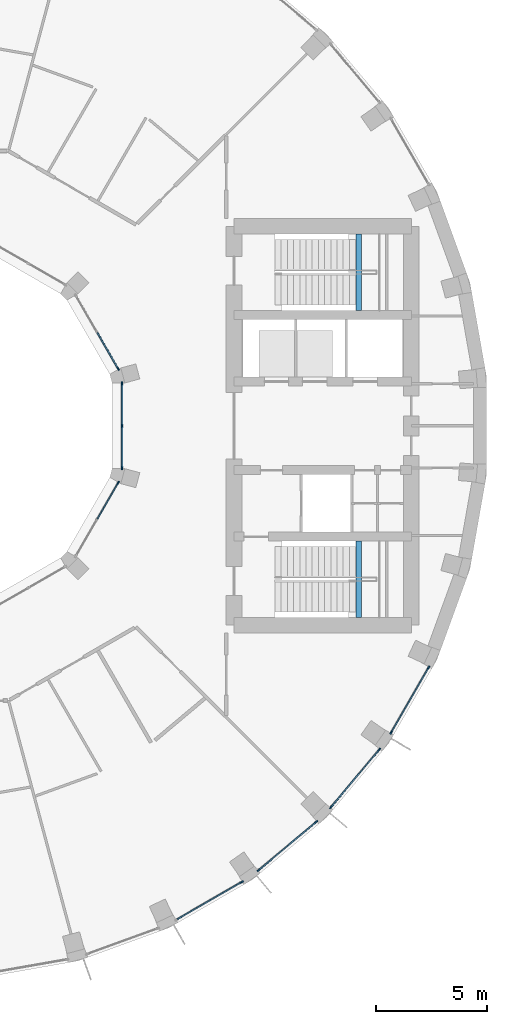
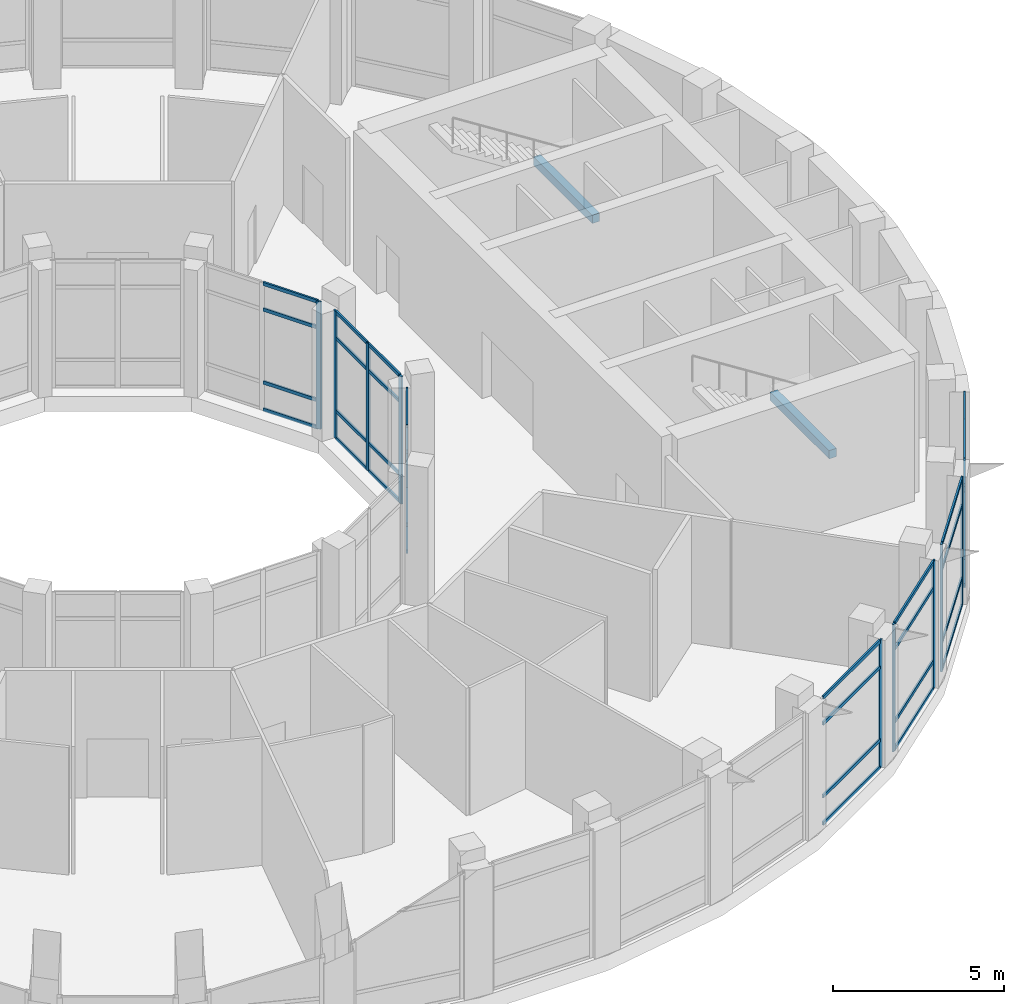
# One storey, part 5 of 18: 44 members, 2 beams, 7 elements without a shape of their own.
"""IFC4 building model written with IfcOpenShell, lengths in metres."""

from ifc_helpers import new_model, si_unit, direction, frame, origin, origin_2d, place, context, subcontext, project, spatial, rectangle, extrude, material, layer, layer_set, material_profile, profile_set, type_object, element, aggregate, save


model = new_model("IFC4")

# Units and contexts
model_context = context("Model", 3, precision=1e-05, world=origin(), true_north=direction((0.0, 1.0)))
body_context = subcontext(model_context, "Body", "Model", "MODEL_VIEW")
ifc_project = project(units=[si_unit("LENGTHUNIT", "METRE"), si_unit("AREAUNIT", "SQUARE_METRE"), si_unit("VOLUMEUNIT", "CUBIC_METRE"), si_unit("PLANEANGLEUNIT", "RADIAN"), si_unit("MASSUNIT", "GRAM", prefix="KILO")], contexts=[model_context])

# Site, building, storey
site_placement = place(None, origin())
site = spatial("IfcSite", under=ifc_project, at=site_placement, CompositionType="ELEMENT")
building_placement = place(site_placement, origin())
building = spatial("IfcBuilding", under=site, at=building_placement, Name="Saqina Gate Tower", CompositionType="ELEMENT")
storey_placement = place(building_placement, frame((0.0, 0.0, 155.800048828125)))
storey = spatial("IfcBuildingStorey", under=building, at=storey_placement, Name="L44", CompositionType="ELEMENT", Elevation=155.800048828125)

# Curtain wall, member
ifc_material_1 = material(Name="Aluminium glazing", Category="aluminium")
ifc_layer_1 = layer(ifc_material_1, 0.159912109375)
ifc_layer_set_1 = layer_set([ifc_layer_1], Name="CWT-2")
curtain_wall_type_1 = type_object("IfcCurtainWallType", Name="CWT-2", PredefinedType="NOTDEFINED", material=ifc_layer_set_1)
curtain_wall_1_placement = place(storey_placement, origin())
curtain_wall_1 = element("IfcCurtainWall", 1, at=curtain_wall_1_placement, inside=storey, type_object=curtain_wall_type_1, Name="Sky lounge glazing facet 30", PredefinedType="NOTDEFINED")
ifc_material_2 = material(Name="Aluminium", Category="aluminium")
ifc_material_profile_1 = material_profile(ifc_material_2, rectangle(XDim=0.06005859375, YDim=0.159912109375, at=origin_2d()), Name="Aluminium 60x160")
ifc_profile_set_1 = profile_set([ifc_material_profile_1], Name="Aluminium")
member_type_1 = type_object("IfcMemberType", Name="CWT-2M", PredefinedType="MULLION", material=ifc_profile_set_1)
member_1_placement = place(storey_placement, frame((13.84521484375, -20.5908203125, 0.0), z_axis=(0.0, 0.0, 1.0), x_axis=(-0.500014364391, 0.866017110341, 0.0)))
member_1 = element("IfcMember", 2, at=member_1_placement, type_object=member_type_1, Name="CW2-30 mullion 2", PredefinedType="MULLION", context=body_context, shape_type="SweptSolid", body=[
    extrude(rectangle(XDim=0.06005859375, YDim=0.159912109375, at=origin_2d()), origin(), (0.0, 0.0, 1.0), 4.550048828125),
])

# Curtain wall, members
curtain_wall_2_placement = place(storey_placement, origin())
curtain_wall_2 = element("IfcCurtainWall", 3, at=curtain_wall_2_placement, inside=storey, type_object=curtain_wall_type_1, Name="Sky lounge glazing facet 31", PredefinedType="NOTDEFINED")
member_2_placement = place(storey_placement, frame((14.61376953125, -20.052734375, 0.0), z_axis=(0.0, 0.0, 1.0), x_axis=(-0.642789549658, 0.766042815286, 0.0)))
member_2 = element("IfcMember", 4, at=member_2_placement, type_object=member_type_1, Name="CW2-31 mullion 1", PredefinedType="MULLION", context=body_context, shape_type="SweptSolid", body=[
    extrude(rectangle(XDim=0.06005859375, YDim=0.159912109375, at=origin_2d()), origin(), (0.0, 0.0, 1.0), 4.550048828125),
])
member_3_placement = place(storey_placement, frame((17.21044921875, -17.873779296875, 0.0), z_axis=(0.0, 0.0, 1.0), x_axis=(-0.642789549658, 0.766042815286, 0.0)))
member_3 = element("IfcMember", 5, at=member_3_placement, type_object=member_type_1, Name="CW2-31 mullion 2", PredefinedType="MULLION", context=body_context, shape_type="SweptSolid", body=[
    extrude(rectangle(XDim=0.06005859375, YDim=0.159912109375, at=origin_2d()), origin(), (0.0, 0.0, 1.0), 4.550048828125),
])

curtain_wall_3_placement = place(storey_placement, origin())
curtain_wall_3 = element("IfcCurtainWall", 6, at=curtain_wall_3_placement, inside=storey, type_object=curtain_wall_type_1, Name="Sky lounge glazing facet 32", PredefinedType="NOTDEFINED")
member_4_placement = place(storey_placement, frame((17.873779296875, -17.21044921875, 0.0), z_axis=(0.0, 0.0, 1.0), x_axis=(-0.766042815286, 0.642789549658, 0.0)))
member_4 = element("IfcMember", 7, at=member_4_placement, type_object=member_type_1, Name="CW2-32 mullion 1", PredefinedType="MULLION", context=body_context, shape_type="SweptSolid", body=[
    extrude(rectangle(XDim=0.06005859375, YDim=0.159912109375, at=origin_2d()), origin(), (0.0, 0.0, 1.0), 4.550048828125),
])
member_5_placement = place(storey_placement, frame((20.052734375, -14.61376953125, 0.0), z_axis=(0.0, 0.0, 1.0), x_axis=(-0.766042815286, 0.642789549658, 0.0)))
member_5 = element("IfcMember", 8, at=member_5_placement, type_object=member_type_1, Name="CW2-32 mullion 2", PredefinedType="MULLION", context=body_context, shape_type="SweptSolid", body=[
    extrude(rectangle(XDim=0.06005859375, YDim=0.159912109375, at=origin_2d()), origin(), (0.0, 0.0, 1.0), 4.550048828125),
])

curtain_wall_4_placement = place(storey_placement, origin())
curtain_wall_4 = element("IfcCurtainWall", 9, at=curtain_wall_4_placement, inside=storey, type_object=curtain_wall_type_1, Name="Sky lounge glazing facet 33", PredefinedType="NOTDEFINED")
member_6_placement = place(storey_placement, frame((20.5908203125, -13.84521484375, 0.0), z_axis=(0.0, 0.0, 1.0), x_axis=(-0.866017110341, 0.500014364391, 0.0)))
member_6 = element("IfcMember", 10, at=member_6_placement, type_object=member_type_1, Name="CW2-33 mullion 1", PredefinedType="MULLION", context=body_context, shape_type="SweptSolid", body=[
    extrude(rectangle(XDim=0.06005859375, YDim=0.159912109375, at=origin_2d()), origin(), (0.0, 0.0, 1.0), 4.550048828125),
])
member_7_placement = place(storey_placement, frame((22.285888671875, -10.90966796875, 0.0), z_axis=(0.0, 0.0, 1.0), x_axis=(-0.866017110341, 0.500014364391, 0.0)))
member_7 = element("IfcMember", 11, at=member_7_placement, type_object=member_type_1, Name="CW2-33 mullion 2", PredefinedType="MULLION", context=body_context, shape_type="SweptSolid", body=[
    extrude(rectangle(XDim=0.06005859375, YDim=0.159912109375, at=origin_2d()), origin(), (0.0, 0.0, 1.0), 4.550048828125),
])

# Member
ifc_material_3 = material(Name="Aluminium", Category="aluminium")
ifc_material_profile_2 = material_profile(ifc_material_3, rectangle(XDim=0.06005859375, YDim=0.1201171875, at=origin_2d()), Name="Aluminium 60x120")
ifc_profile_set_2 = profile_set([ifc_material_profile_2], Name="Aluminium")
member_type_2 = type_object("IfcMemberType", Name="CWT-2T", PredefinedType="USERDEFINED", material=ifc_profile_set_2)
member_8_placement = place(storey_placement, frame((10.935546875, -22.270751953125, 0.030029296875), z_axis=(0.866046400599, 0.499963630688, 0.0), x_axis=(-0.499963630688, 0.866046400599, 0.0)))
member_8 = element("IfcMember", 12, at=member_8_placement, type_object=member_type_2, Name="CW2-30 transom 1.1", ObjectType="TRANSOM", PredefinedType="USERDEFINED", context=body_context, shape_type="SweptSolid", body=[
    extrude(rectangle(XDim=0.06005859375, YDim=0.1201171875, at=origin_2d()), origin(), (0.0, 0.0, 1.0), 3.329833984375),
])

member_9_placement = place(storey_placement, frame((10.935546875, -22.270751953125, 1.0), z_axis=(0.866046400599, 0.499963630688, 0.0), x_axis=(-0.499963630688, 0.866046400599, 0.0)))
member_9 = element("IfcMember", 13, at=member_9_placement, type_object=member_type_2, Name="CW2-30 transom 1.2", ObjectType="TRANSOM", PredefinedType="USERDEFINED", context=body_context, shape_type="SweptSolid", body=[
    extrude(rectangle(XDim=0.06005859375, YDim=0.1201171875, at=origin_2d()), origin(), (0.0, 0.0, 1.0), 3.329833984375),
])

member_10_placement = place(storey_placement, frame((10.935546875, -22.270751953125, 3.599853515625), z_axis=(0.866046400599, 0.499963630688, 0.0), x_axis=(-0.499963630688, 0.866046400599, 0.0)))
member_10 = element("IfcMember", 14, at=member_10_placement, type_object=member_type_2, Name="CW2-30 transom 1.3", ObjectType="TRANSOM", PredefinedType="USERDEFINED", context=body_context, shape_type="SweptSolid", body=[
    extrude(rectangle(XDim=0.06005859375, YDim=0.1201171875, at=origin_2d()), origin(), (0.0, 0.0, 1.0), 3.329833984375),
])

member_11_placement = place(storey_placement, frame((10.935546875, -22.270751953125, 4.52001953125), z_axis=(0.866046400599, 0.499963630688, 0.0), x_axis=(-0.499963630688, 0.866046400599, 0.0)))
member_11 = element("IfcMember", 15, at=member_11_placement, type_object=member_type_2, Name="CW2-30 transom 1.4", ObjectType="TRANSOM", PredefinedType="USERDEFINED", context=body_context, shape_type="SweptSolid", body=[
    extrude(rectangle(XDim=0.06005859375, YDim=0.1201171875, at=origin_2d()), origin(), (0.0, 0.0, 1.0), 3.329833984375),
])

aggregate(curtain_wall_1, [member_1, member_8, member_9, member_10, member_11])

member_12_placement = place(storey_placement, frame((14.63671875, -20.033447265625, 0.030029296875), z_axis=(0.766041300239, 0.642791355206, 0.0), x_axis=(-0.642791355206, 0.766041300239, 0.0)))
member_12 = element("IfcMember", 16, at=member_12_placement, type_object=member_type_2, Name="CW2-31 transom 1.1", ObjectType="TRANSOM", PredefinedType="USERDEFINED", context=body_context, shape_type="SweptSolid", body=[
    extrude(rectangle(XDim=0.06005859375, YDim=0.1201171875, at=origin_2d()), origin(), (0.0, 0.0, 1.0), 3.329833984375),
])

member_13_placement = place(storey_placement, frame((14.63671875, -20.033447265625, 1.0), z_axis=(0.766041300239, 0.642791355206, 0.0), x_axis=(-0.642791355206, 0.766041300239, 0.0)))
member_13 = element("IfcMember", 17, at=member_13_placement, type_object=member_type_2, Name="CW2-31 transom 1.2", ObjectType="TRANSOM", PredefinedType="USERDEFINED", context=body_context, shape_type="SweptSolid", body=[
    extrude(rectangle(XDim=0.06005859375, YDim=0.1201171875, at=origin_2d()), origin(), (0.0, 0.0, 1.0), 3.329833984375),
])

member_14_placement = place(storey_placement, frame((14.63671875, -20.033447265625, 3.599853515625), z_axis=(0.766041300239, 0.642791355206, 0.0), x_axis=(-0.642791355206, 0.766041300239, 0.0)))
member_14 = element("IfcMember", 18, at=member_14_placement, type_object=member_type_2, Name="CW2-31 transom 1.3", ObjectType="TRANSOM", PredefinedType="USERDEFINED", context=body_context, shape_type="SweptSolid", body=[
    extrude(rectangle(XDim=0.06005859375, YDim=0.1201171875, at=origin_2d()), origin(), (0.0, 0.0, 1.0), 3.329833984375),
])

member_15_placement = place(storey_placement, frame((14.63671875, -20.033447265625, 4.52001953125), z_axis=(0.766041300239, 0.642791355206, 0.0), x_axis=(-0.642791355206, 0.766041300239, 0.0)))
member_15 = element("IfcMember", 19, at=member_15_placement, type_object=member_type_2, Name="CW2-31 transom 1.4", ObjectType="TRANSOM", PredefinedType="USERDEFINED", context=body_context, shape_type="SweptSolid", body=[
    extrude(rectangle(XDim=0.06005859375, YDim=0.1201171875, at=origin_2d()), origin(), (0.0, 0.0, 1.0), 3.329833984375),
])

aggregate(curtain_wall_2, [member_2, member_3, member_12, member_13, member_14, member_15])

member_16_placement = place(storey_placement, frame((17.89306640625, -17.1875, 0.030029296875), z_axis=(0.642791355206, 0.766041300239, 0.0), x_axis=(-0.766041300239, 0.642791355206, 0.0)))
member_16 = element("IfcMember", 20, at=member_16_placement, type_object=member_type_2, Name="CW2-32 transom 1.1", ObjectType="TRANSOM", PredefinedType="USERDEFINED", context=body_context, shape_type="SweptSolid", body=[
    extrude(rectangle(XDim=0.06005859375, YDim=0.1201171875, at=origin_2d()), origin(), (0.0, 0.0, 1.0), 3.329833984375),
])

member_17_placement = place(storey_placement, frame((17.89306640625, -17.1875, 1.0), z_axis=(0.642791355206, 0.766041300239, 0.0), x_axis=(-0.766041300239, 0.642791355206, 0.0)))
member_17 = element("IfcMember", 21, at=member_17_placement, type_object=member_type_2, Name="CW2-32 transom 1.2", ObjectType="TRANSOM", PredefinedType="USERDEFINED", context=body_context, shape_type="SweptSolid", body=[
    extrude(rectangle(XDim=0.06005859375, YDim=0.1201171875, at=origin_2d()), origin(), (0.0, 0.0, 1.0), 3.329833984375),
])

member_18_placement = place(storey_placement, frame((17.89306640625, -17.1875, 3.599853515625), z_axis=(0.642791355206, 0.766041300239, 0.0), x_axis=(-0.766041300239, 0.642791355206, 0.0)))
member_18 = element("IfcMember", 22, at=member_18_placement, type_object=member_type_2, Name="CW2-32 transom 1.3", ObjectType="TRANSOM", PredefinedType="USERDEFINED", context=body_context, shape_type="SweptSolid", body=[
    extrude(rectangle(XDim=0.06005859375, YDim=0.1201171875, at=origin_2d()), origin(), (0.0, 0.0, 1.0), 3.329833984375),
])

member_19_placement = place(storey_placement, frame((17.89306640625, -17.1875, 4.52001953125), z_axis=(0.642791355206, 0.766041300239, 0.0), x_axis=(-0.766041300239, 0.642791355206, 0.0)))
member_19 = element("IfcMember", 23, at=member_19_placement, type_object=member_type_2, Name="CW2-32 transom 1.4", ObjectType="TRANSOM", PredefinedType="USERDEFINED", context=body_context, shape_type="SweptSolid", body=[
    extrude(rectangle(XDim=0.06005859375, YDim=0.1201171875, at=origin_2d()), origin(), (0.0, 0.0, 1.0), 3.329833984375),
])

aggregate(curtain_wall_3, [member_4, member_5, member_16, member_17, member_18, member_19])

member_20_placement = place(storey_placement, frame((20.60595703125, -13.8193359375, 0.030029296875), z_axis=(0.499963630688, 0.866046400599, 0.0), x_axis=(-0.866046400599, 0.499963630688, 0.0)))
member_20 = element("IfcMember", 24, at=member_20_placement, type_object=member_type_2, Name="CW2-33 transom 1.1", ObjectType="TRANSOM", PredefinedType="USERDEFINED", context=body_context, shape_type="SweptSolid", body=[
    extrude(rectangle(XDim=0.06005859375, YDim=0.1201171875, at=origin_2d()), origin(), (0.0, 0.0, 1.0), 3.329833984375),
])

member_21_placement = place(storey_placement, frame((20.60595703125, -13.8193359375, 1.0), z_axis=(0.499963630688, 0.866046400599, 0.0), x_axis=(-0.866046400599, 0.499963630688, 0.0)))
member_21 = element("IfcMember", 25, at=member_21_placement, type_object=member_type_2, Name="CW2-33 transom 1.2", ObjectType="TRANSOM", PredefinedType="USERDEFINED", context=body_context, shape_type="SweptSolid", body=[
    extrude(rectangle(XDim=0.06005859375, YDim=0.1201171875, at=origin_2d()), origin(), (0.0, 0.0, 1.0), 3.329833984375),
])

member_22_placement = place(storey_placement, frame((20.60595703125, -13.8193359375, 3.599853515625), z_axis=(0.499963630688, 0.866046400599, 0.0), x_axis=(-0.866046400599, 0.499963630688, 0.0)))
member_22 = element("IfcMember", 26, at=member_22_placement, type_object=member_type_2, Name="CW2-33 transom 1.3", ObjectType="TRANSOM", PredefinedType="USERDEFINED", context=body_context, shape_type="SweptSolid", body=[
    extrude(rectangle(XDim=0.06005859375, YDim=0.1201171875, at=origin_2d()), origin(), (0.0, 0.0, 1.0), 3.329833984375),
])

member_23_placement = place(storey_placement, frame((20.60595703125, -13.8193359375, 4.52001953125), z_axis=(0.499963630688, 0.866046400599, 0.0), x_axis=(-0.866046400599, 0.499963630688, 0.0)))
member_23 = element("IfcMember", 27, at=member_23_placement, type_object=member_type_2, Name="CW2-33 transom 1.4", ObjectType="TRANSOM", PredefinedType="USERDEFINED", context=body_context, shape_type="SweptSolid", body=[
    extrude(rectangle(XDim=0.06005859375, YDim=0.1201171875, at=origin_2d()), origin(), (0.0, 0.0, 1.0), 3.329833984375),
])

aggregate(curtain_wall_4, [member_6, member_7, member_20, member_21, member_22, member_23])

# Curtain wall, member
ifc_material_4 = material(Name="Aluminium glazing", Category="aluminium")
ifc_layer_2 = layer(ifc_material_4, 0.159912109375)
ifc_layer_set_2 = layer_set([ifc_layer_2], Name="CWT-3")
curtain_wall_type_2 = type_object("IfcCurtainWallType", Name="CWT-3", PredefinedType="NOTDEFINED", material=ifc_layer_set_2)
curtain_wall_5_placement = place(storey_placement, origin())
curtain_wall_5 = element("IfcCurtainWall", 28, at=curtain_wall_5_placement, inside=storey, type_object=curtain_wall_type_2, Name="Sky lounge well glazing L44 facet 1", PredefinedType="NOTDEFINED")
ifc_material_5 = material(Name="Aluminium", Category="aluminium")
ifc_material_profile_3 = material_profile(ifc_material_5, rectangle(XDim=0.06005859375, YDim=0.159912109375, at=origin_2d()), Name="Aluminium 60x160")
ifc_profile_set_3 = profile_set([ifc_material_profile_3], Name="Aluminium")
member_type_3 = type_object("IfcMemberType", Name="CWT-3M", PredefinedType="MULLION", material=ifc_profile_set_3)
member_24_placement = place(storey_placement, frame((8.2705078125, 2.5751953125, 0.0), z_axis=(0.0, 0.0, 1.0), x_axis=(-0.866017760546, -0.500013238243, 0.0)))
member_24 = element("IfcMember", 29, at=member_24_placement, type_object=member_type_3, Name="CW3-01 mullion 1", PredefinedType="MULLION", context=body_context, shape_type="SweptSolid", body=[
    extrude(rectangle(XDim=0.06005859375, YDim=0.159912109375, at=origin_2d()), origin(), (0.0, 0.0, 1.0), 4.550048828125),
])

curtain_wall_6_placement = place(storey_placement, origin())
curtain_wall_6 = element("IfcCurtainWall", 30, at=curtain_wall_6_placement, inside=storey, type_object=curtain_wall_type_2, Name="Sky lounge well glazing L44 facet 11", PredefinedType="NOTDEFINED")
member_25_placement = place(storey_placement, frame((8.2705078125, -2.5751953125, 0.0), z_axis=(0.0, 0.0, 1.0), x_axis=(-0.866017760546, 0.500013238243, 0.0)))
member_25 = element("IfcMember", 31, at=member_25_placement, type_object=member_type_3, Name="CW3-11 mullion 3", PredefinedType="MULLION", context=body_context, shape_type="SweptSolid", body=[
    extrude(rectangle(XDim=0.06005859375, YDim=0.159912109375, at=origin_2d()), origin(), (0.0, 0.0, 1.0), 4.550048828125),
])

# Curtain wall, members
curtain_wall_7_placement = place(storey_placement, origin())
curtain_wall_7 = element("IfcCurtainWall", 32, at=curtain_wall_7_placement, inside=storey, type_object=curtain_wall_type_2, Name="Sky lounge well glazing L44 facet 12", PredefinedType="NOTDEFINED")
member_26_placement = place(storey_placement, frame((8.449951171875, -1.90478515625, 0.0), z_axis=(0.0, 0.0, 1.0), x_axis=(-1.0, 0.0, 0.0)))
member_26 = element("IfcMember", 33, at=member_26_placement, type_object=member_type_3, Name="CW3-12 mullion 1", PredefinedType="MULLION", context=body_context, shape_type="SweptSolid", body=[
    extrude(rectangle(XDim=0.06005859375, YDim=0.159912109375, at=origin_2d()), origin(), (0.0, 0.0, 1.0), 4.550048828125),
])
member_27_placement = place(storey_placement, frame((8.449951171875, 0.0, 0.0), z_axis=(0.0, 0.0, 1.0), x_axis=(-1.0, 0.0, 0.0)))
member_27 = element("IfcMember", 34, at=member_27_placement, type_object=member_type_3, Name="CW3-12 mullion 2", PredefinedType="MULLION", context=body_context, shape_type="SweptSolid", body=[
    extrude(rectangle(XDim=0.06005859375, YDim=0.159912109375, at=origin_2d()), origin(), (0.0, 0.0, 1.0), 4.550048828125),
])
member_28_placement = place(storey_placement, frame((8.449951171875, 1.90478515625, 0.0), z_axis=(0.0, 0.0, 1.0), x_axis=(-1.0, 0.0, 0.0)))
member_28 = element("IfcMember", 35, at=member_28_placement, type_object=member_type_3, Name="CW3-12 mullion 3", PredefinedType="MULLION", context=body_context, shape_type="SweptSolid", body=[
    extrude(rectangle(XDim=0.06005859375, YDim=0.159912109375, at=origin_2d()), origin(), (0.0, 0.0, 1.0), 4.550048828125),
])

# Member
ifc_material_6 = material(Name="Aluminium", Category="aluminium")
ifc_material_profile_4 = material_profile(ifc_material_6, rectangle(XDim=0.06005859375, YDim=0.1201171875, at=origin_2d()), Name="Aluminium 60x120")
ifc_profile_set_4 = profile_set([ifc_material_profile_4], Name="Aluminium")
member_type_4 = type_object("IfcMemberType", Name="CWT-3T", PredefinedType="USERDEFINED", material=ifc_profile_set_4)
member_29_placement = place(storey_placement, frame((8.25537109375, 2.601318359375, 0.030029296875), z_axis=(-0.499982117899, 0.866035727774, 0.0), x_axis=(-0.866035727774, -0.499982117899, 0.0)))
member_29 = element("IfcMember", 36, at=member_29_placement, type_object=member_type_4, Name="CW3-01 transom 1.1", ObjectType="TRANSOM", PredefinedType="USERDEFINED", context=body_context, shape_type="SweptSolid", body=[
    extrude(rectangle(XDim=0.06005859375, YDim=0.1201171875, at=origin_2d()), origin(), (0.0, 0.0, 1.0), 1.8447265625),
])

member_30_placement = place(storey_placement, frame((8.25537109375, 2.601318359375, 1.0), z_axis=(-0.499982117899, 0.866035727774, 0.0), x_axis=(-0.866035727774, -0.499982117899, 0.0)))
member_30 = element("IfcMember", 37, at=member_30_placement, type_object=member_type_4, Name="CW3-01 transom 1.2", ObjectType="TRANSOM", PredefinedType="USERDEFINED", context=body_context, shape_type="SweptSolid", body=[
    extrude(rectangle(XDim=0.06005859375, YDim=0.1201171875, at=origin_2d()), origin(), (0.0, 0.0, 1.0), 1.8447265625),
])

member_31_placement = place(storey_placement, frame((8.25537109375, 2.601318359375, 3.599853515625), z_axis=(-0.499982117899, 0.866035727774, 0.0), x_axis=(-0.866035727774, -0.499982117899, 0.0)))
member_31 = element("IfcMember", 38, at=member_31_placement, type_object=member_type_4, Name="CW3-01 transom 1.3", ObjectType="TRANSOM", PredefinedType="USERDEFINED", context=body_context, shape_type="SweptSolid", body=[
    extrude(rectangle(XDim=0.06005859375, YDim=0.1201171875, at=origin_2d()), origin(), (0.0, 0.0, 1.0), 1.8447265625),
])

member_32_placement = place(storey_placement, frame((8.25537109375, 2.601318359375, 4.52001953125), z_axis=(-0.499982117899, 0.866035727774, 0.0), x_axis=(-0.866035727774, -0.499982117899, 0.0)))
member_32 = element("IfcMember", 39, at=member_32_placement, type_object=member_type_4, Name="CW3-01 transom 1.4", ObjectType="TRANSOM", PredefinedType="USERDEFINED", context=body_context, shape_type="SweptSolid", body=[
    extrude(rectangle(XDim=0.06005859375, YDim=0.1201171875, at=origin_2d()), origin(), (0.0, 0.0, 1.0), 1.8447265625),
])

aggregate(curtain_wall_5, [member_24, member_29, member_30, member_31, member_32])

member_33_placement = place(storey_placement, frame((7.3330078125, -4.198974609375, 0.030029296875), z_axis=(0.499982117899, 0.866035727774, 0.0), x_axis=(-0.866035727774, 0.499982117899, 0.0)))
member_33 = element("IfcMember", 40, at=member_33_placement, type_object=member_type_4, Name="CW3-11 transom 2.1", ObjectType="TRANSOM", PredefinedType="USERDEFINED", context=body_context, shape_type="SweptSolid", body=[
    extrude(rectangle(XDim=0.06005859375, YDim=0.1201171875, at=origin_2d()), origin(), (0.0, 0.0, 1.0), 1.8447265625),
])

member_34_placement = place(storey_placement, frame((7.3330078125, -4.198974609375, 1.0), z_axis=(0.499982117899, 0.866035727774, 0.0), x_axis=(-0.866035727774, 0.499982117899, 0.0)))
member_34 = element("IfcMember", 41, at=member_34_placement, type_object=member_type_4, Name="CW3-11 transom 2.2", ObjectType="TRANSOM", PredefinedType="USERDEFINED", context=body_context, shape_type="SweptSolid", body=[
    extrude(rectangle(XDim=0.06005859375, YDim=0.1201171875, at=origin_2d()), origin(), (0.0, 0.0, 1.0), 1.8447265625),
])

member_35_placement = place(storey_placement, frame((7.3330078125, -4.198974609375, 3.599853515625), z_axis=(0.499982117899, 0.866035727774, 0.0), x_axis=(-0.866035727774, 0.499982117899, 0.0)))
member_35 = element("IfcMember", 42, at=member_35_placement, type_object=member_type_4, Name="CW3-11 transom 2.3", ObjectType="TRANSOM", PredefinedType="USERDEFINED", context=body_context, shape_type="SweptSolid", body=[
    extrude(rectangle(XDim=0.06005859375, YDim=0.1201171875, at=origin_2d()), origin(), (0.0, 0.0, 1.0), 1.8447265625),
])

member_36_placement = place(storey_placement, frame((7.3330078125, -4.198974609375, 4.52001953125), z_axis=(0.499982117899, 0.866035727774, 0.0), x_axis=(-0.866035727774, 0.499982117899, 0.0)))
member_36 = element("IfcMember", 43, at=member_36_placement, type_object=member_type_4, Name="CW3-11 transom 2.4", ObjectType="TRANSOM", PredefinedType="USERDEFINED", context=body_context, shape_type="SweptSolid", body=[
    extrude(rectangle(XDim=0.06005859375, YDim=0.1201171875, at=origin_2d()), origin(), (0.0, 0.0, 1.0), 1.8447265625),
])

aggregate(curtain_wall_6, [member_25, member_33, member_34, member_35, member_36])

member_37_placement = place(storey_placement, frame((8.449951171875, -1.875, 0.030029296875), z_axis=(0.0, 1.0, 0.0), x_axis=(-1.0, 0.0, 0.0)))
member_37 = element("IfcMember", 44, at=member_37_placement, type_object=member_type_4, Name="CW3-12 transom 1.1", ObjectType="TRANSOM", PredefinedType="USERDEFINED", context=body_context, shape_type="SweptSolid", body=[
    extrude(rectangle(XDim=0.06005859375, YDim=0.1201171875, at=origin_2d()), origin(), (0.0, 0.0, 1.0), 1.844970703125),
])

member_38_placement = place(storey_placement, frame((8.449951171875, -1.875, 1.0), z_axis=(0.0, 1.0, 0.0), x_axis=(-1.0, 0.0, 0.0)))
member_38 = element("IfcMember", 45, at=member_38_placement, type_object=member_type_4, Name="CW3-12 transom 1.2", ObjectType="TRANSOM", PredefinedType="USERDEFINED", context=body_context, shape_type="SweptSolid", body=[
    extrude(rectangle(XDim=0.06005859375, YDim=0.1201171875, at=origin_2d()), origin(), (0.0, 0.0, 1.0), 1.844970703125),
])

member_39_placement = place(storey_placement, frame((8.449951171875, -1.875, 3.599853515625), z_axis=(0.0, 1.0, 0.0), x_axis=(-1.0, 0.0, 0.0)))
member_39 = element("IfcMember", 46, at=member_39_placement, type_object=member_type_4, Name="CW3-12 transom 1.3", ObjectType="TRANSOM", PredefinedType="USERDEFINED", context=body_context, shape_type="SweptSolid", body=[
    extrude(rectangle(XDim=0.06005859375, YDim=0.1201171875, at=origin_2d()), origin(), (0.0, 0.0, 1.0), 1.844970703125),
])

member_40_placement = place(storey_placement, frame((8.449951171875, -1.875, 4.52001953125), z_axis=(0.0, 1.0, 0.0), x_axis=(-1.0, 0.0, 0.0)))
member_40 = element("IfcMember", 47, at=member_40_placement, type_object=member_type_4, Name="CW3-12 transom 1.4", ObjectType="TRANSOM", PredefinedType="USERDEFINED", context=body_context, shape_type="SweptSolid", body=[
    extrude(rectangle(XDim=0.06005859375, YDim=0.1201171875, at=origin_2d()), origin(), (0.0, 0.0, 1.0), 1.844970703125),
])

member_41_placement = place(storey_placement, frame((8.449951171875, 0.030029296875, 0.030029296875), z_axis=(0.0, 1.0, 0.0), x_axis=(-1.0, 0.0, 0.0)))
member_41 = element("IfcMember", 48, at=member_41_placement, type_object=member_type_4, Name="CW3-12 transom 2.1", ObjectType="TRANSOM", PredefinedType="USERDEFINED", context=body_context, shape_type="SweptSolid", body=[
    extrude(rectangle(XDim=0.06005859375, YDim=0.1201171875, at=origin_2d()), origin(), (0.0, 0.0, 1.0), 1.844970703125),
])

member_42_placement = place(storey_placement, frame((8.449951171875, 0.030029296875, 1.0), z_axis=(0.0, 1.0, 0.0), x_axis=(-1.0, 0.0, 0.0)))
member_42 = element("IfcMember", 49, at=member_42_placement, type_object=member_type_4, Name="CW3-12 transom 2.2", ObjectType="TRANSOM", PredefinedType="USERDEFINED", context=body_context, shape_type="SweptSolid", body=[
    extrude(rectangle(XDim=0.06005859375, YDim=0.1201171875, at=origin_2d()), origin(), (0.0, 0.0, 1.0), 1.844970703125),
])

member_43_placement = place(storey_placement, frame((8.449951171875, 0.030029296875, 3.599853515625), z_axis=(0.0, 1.0, 0.0), x_axis=(-1.0, 0.0, 0.0)))
member_43 = element("IfcMember", 50, at=member_43_placement, type_object=member_type_4, Name="CW3-12 transom 2.3", ObjectType="TRANSOM", PredefinedType="USERDEFINED", context=body_context, shape_type="SweptSolid", body=[
    extrude(rectangle(XDim=0.06005859375, YDim=0.1201171875, at=origin_2d()), origin(), (0.0, 0.0, 1.0), 1.844970703125),
])

member_44_placement = place(storey_placement, frame((8.449951171875, 0.030029296875, 4.52001953125), z_axis=(0.0, 1.0, 0.0), x_axis=(-1.0, 0.0, 0.0)))
member_44 = element("IfcMember", 51, at=member_44_placement, type_object=member_type_4, Name="CW3-12 transom 2.4", ObjectType="TRANSOM", PredefinedType="USERDEFINED", context=body_context, shape_type="SweptSolid", body=[
    extrude(rectangle(XDim=0.06005859375, YDim=0.1201171875, at=origin_2d()), origin(), (0.0, 0.0, 1.0), 1.844970703125),
])

aggregate(curtain_wall_7, [member_26, member_27, member_28, member_37, member_38, member_39, member_40, member_41, member_42, member_43, member_44])

# Beams
ifc_material_7 = material(Name="Concrete C40/50", Category="concrete")
ifc_material_profile_5 = material_profile(ifc_material_7, rectangle(XDim=0.25, YDim=0.300048828125, at=origin_2d()), Name="STAIR LANDING BEAM")
ifc_profile_set_5 = profile_set([ifc_material_profile_5], Name="Concrete C40/50")
beam_type = type_object("IfcBeamType", Name="STAIR LANDING BEAM", PredefinedType="BEAM", material=ifc_profile_set_5)
for number, where, z_axis, x_axis, name in (
    (52, (19.139892578125, 5.199951171875, 2.099853515625), (0.0, 1.0, 0.0), (-1.0, 0.0, 0.0), "EXIT STAIR 1 LANDING BEAM"),
    (53, (19.139892578125, -8.64990234375, 2.099853515625), (0.0, 1.0, 0.0), (-1.0, 0.0, 0.0), "EXIT STAIR 2 LANDING BEAM"),
):
    element("IfcBeam", number, at=place(storey_placement, frame(where, z_axis=z_axis, x_axis=x_axis)), inside=storey, type_object=beam_type, Name=name, PredefinedType="BEAM", context=body_context, shape_type="SweptSolid", body=[
        extrude(rectangle(XDim=0.25, YDim=0.300048828125, at=origin_2d()), origin(), (0.0, 0.0, 1.0), 3.449951171875),
    ])

save(model, "model.ifc")
